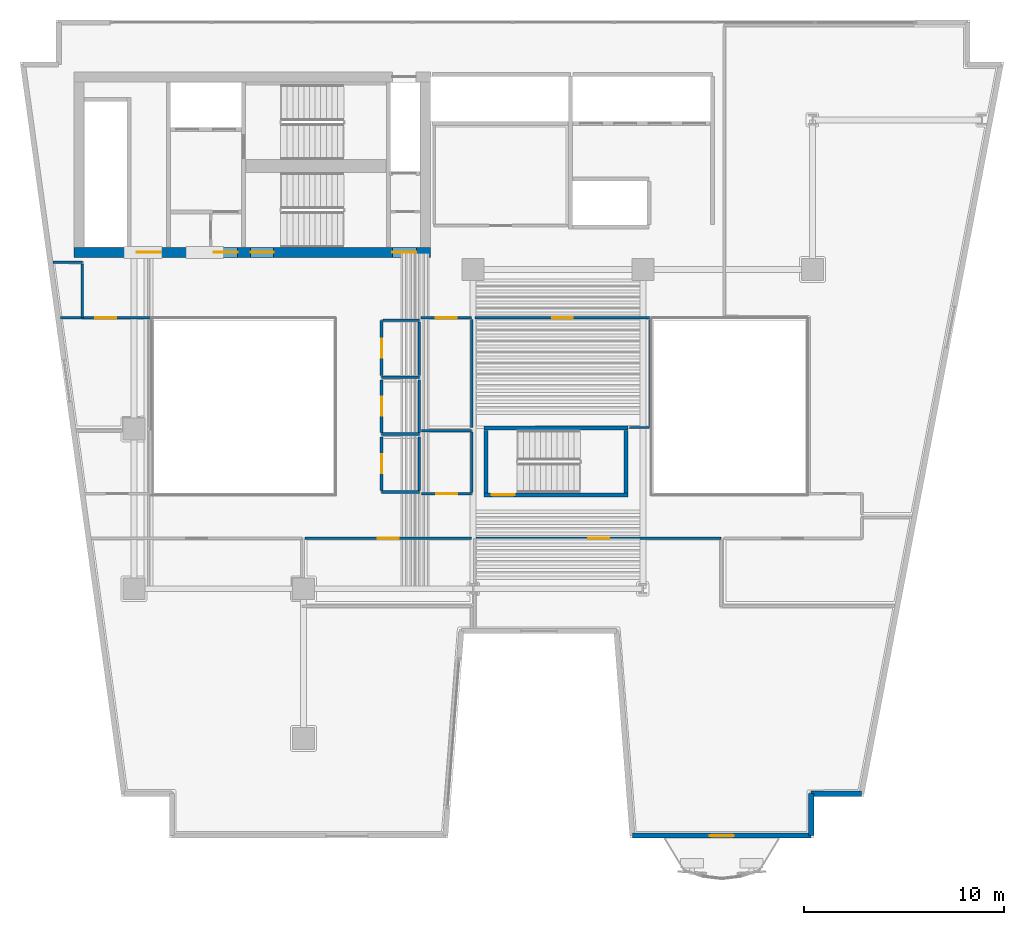
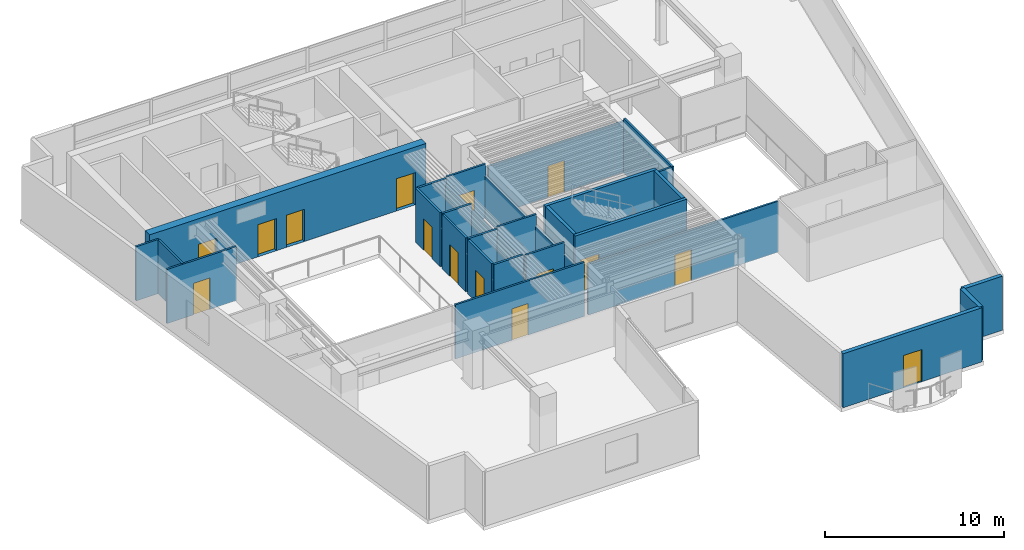
# One storey, part 6 of 12: 31 walls, 15 doors, 15 openings.
"""IFC4 building model written with IfcOpenShell, lengths in metres."""

from ifc_helpers import new_model, si_unit, direction, frame, frame_2d, origin, place, context, subcontext, project, spatial, rectangle, extrude, material, layer, layer_set, type_object, element, fill, save


model = new_model("IFC4")

# Units and contexts
model_context = context("Model", 3, precision=1e-05, world=origin(), true_north=direction((0.0, 1.0)))
body_context = subcontext(model_context, "Body", "Model", "MODEL_VIEW")
ifc_project = project(units=[si_unit("LENGTHUNIT", "METRE"), si_unit("AREAUNIT", "SQUARE_METRE"), si_unit("VOLUMEUNIT", "CUBIC_METRE"), si_unit("PLANEANGLEUNIT", "RADIAN"), si_unit("MASSUNIT", "GRAM", prefix="KILO")], contexts=[model_context])

# Site, building, storey
site_placement = place(None, origin())
site = spatial("IfcSite", under=ifc_project, at=site_placement, CompositionType="ELEMENT")
building_placement = place(site_placement, origin())
building = spatial("IfcBuilding", under=site, at=building_placement, Name="Caeloran Harvest Quay", CompositionType="ELEMENT")
storey_placement = place(building_placement, frame((0.0, 0.0, 111.39990234375)))
storey = spatial("IfcBuildingStorey", under=building, at=storey_placement, Name="L25", CompositionType="ELEMENT", Elevation=111.39990234375)

# Walls
ifc_material_1 = material(Name="Precast concrete C50/60", Category="concrete")
ifc_layer_1 = layer(ifc_material_1, 0.260009765625, Name="Precast concrete C50/60")
ifc_layer_set_1 = layer_set([ifc_layer_1], Name="Precast concrete C50/60")
wall_type_1 = type_object("IfcWallType", Name="ENV-WALL-EW-260", PredefinedType="STANDARD", material=ifc_layer_set_1)
wall_1_placement = place(storey_placement, frame((44.96337890625, 4.72998046875, 0.0), z_axis=(0.0, 0.0, 1.0), x_axis=(-1.0, 0.0, 0.0)))
element("IfcWall", 1, at=wall_1_placement, inside=storey, type_object=wall_type_1, Name="L25 Exterior Precast Concrete Facade Wall 10", PredefinedType="STANDARD", context=body_context, shape_type="SweptSolid", body=[
    extrude(rectangle(XDim=2.5234375, YDim=0.260009765625, at=frame_2d((1.26171875, 0.0))), origin(), (0.0, 0.0, 1.0), 3.690185546875),
])
wall_2_placement = place(storey_placement, frame((42.43994140625, 4.72998046875, 0.0), z_axis=(0.0, 0.0, 1.0), x_axis=(0.0, -1.0, 0.0)))
element("IfcWall", 2, at=wall_2_placement, inside=storey, type_object=wall_type_1, Name="L25 Exterior Precast Concrete Facade Wall 11", PredefinedType="STANDARD", context=body_context, shape_type="SweptSolid", body=[
    extrude(rectangle(XDim=2.10009765625, YDim=0.260009765625, at=frame_2d((1.050048828125, 0.0))), origin(), (0.0, 0.0, 1.0), 3.690185546875),
])

# Wall, opening, door
wall_3_placement = place(storey_placement, frame((42.43994140625, 2.6298828125, 0.0), z_axis=(0.0, 0.0, 1.0), x_axis=(-1.0, 0.0, 0.0)))
wall_3 = element("IfcWall", 3, at=wall_3_placement, inside=storey, type_object=wall_type_1, Name="L25 Exterior Precast Concrete Facade Wall 12", PredefinedType="STANDARD", context=body_context, shape_type="SweptSolid", body=[
    extrude(rectangle(XDim=8.96484375, YDim=0.260009765625, at=frame_2d((4.482421875, 0.0))), origin(), (0.0, 0.0, 1.0), 3.690185546875),
])
opening_1_placement = place(wall_3_placement, frame((3.882080078125, 0.0, 0.0)))
opening_1 = element("IfcOpeningElement", 4, at=opening_1_placement, cuts=wall_3, Name="Opening BD-01", PredefinedType="OPENING", context=body_context, shape_type="SweptSolid", body=[
    extrude(rectangle(XDim=1.199951171875, YDim=2.199951171875, at=frame_2d((0.60009765625, 1.10009765625))), frame((0.0, 0.14013671875, 0.0), z_axis=(0.0, -1.0, 0.0), x_axis=(1.0, 0.0, 0.0)), (0.0, 0.0, 1.0), 0.280029296875),
])
ifc_material_2 = material(Name="Thermally Broken Powder-Coated Aluminium and Safety Glass", Category="aluminium")
door_type_1 = type_object("IfcDoorType", Name="EXTDOOR-BD-01", OperationType="NOTDEFINED", PredefinedType="DOOR", material=ifc_material_2)
door_1_placement = place(opening_1_placement, origin())
door_1 = element("IfcDoor", 5, at=door_1_placement, inside=storey, type_object=door_type_1, Name="L25 Planted Balcony Glazed Access Door", OperationType="SINGLE_SWING_RIGHT", OverallHeight=2.199951171875, OverallWidth=1.199951171875, PredefinedType="DOOR", context=body_context, shape_type="SweptSolid", body=[
    extrude(rectangle(XDim=1.199951171875, YDim=2.199951171875, at=frame_2d((0.60009765625, 1.10009765625))), frame((0.0, 0.02490234375, 0.0), z_axis=(0.0, -1.0, 0.0), x_axis=(1.0, 0.0, 0.0)), (0.0, 0.0, 1.0), 0.050048828125),
])
fill(opening_1, door_1)

ifc_material_3 = material(Name="Twin-Stud Mineral-Wool Acoustic Gypsum Partition", Category="gypsum")
ifc_layer_2 = layer(ifc_material_3, 0.125, Name="Twin-Stud Mineral-Wool Acoustic Gypsum Partition")
ifc_layer_set_2 = layer_set([ifc_layer_2], Name="Twin-Stud Mineral-Wool Acoustic Gypsum Partition")
wall_type_2 = type_object("IfcWallType", Name="INT-WALL-PW-125", PredefinedType="PARTITIONING", material=ifc_layer_set_2)
wall_4_placement = place(storey_placement, frame((25.6474609375, 17.52001953125, 0.0), z_axis=(0.0, 0.0, 1.0), x_axis=(1.0, 0.0, 0.0)))
wall_4 = element("IfcWall", 6, at=wall_4_placement, inside=storey, type_object=wall_type_2, Name="Crop Genomics Wet Laboratory Partition Wall", PredefinedType="PARTITIONING", context=body_context, shape_type="SweptSolid", body=[
    extrude(rectangle(XDim=12.2724609375, YDim=0.125, at=frame_2d((6.13623046875, 0.0))), origin(), (0.0, 0.0, 1.0), 3.47509765625),
])
opening_2_placement = place(wall_4_placement, frame((5.611328125, 0.0, 0.0)))
opening_2 = element("IfcOpeningElement", 7, at=opening_2_placement, cuts=wall_4, Name="Opening ID-03", PredefinedType="OPENING", context=body_context, shape_type="SweptSolid", body=[
    extrude(rectangle(XDim=1.050048828125, YDim=2.14990234375, at=frame_2d((0.52490234375, 1.074951171875))), frame((0.0, 0.072509765625, 0.0), z_axis=(0.0, -1.0, 0.0), x_axis=(1.0, 0.0, 0.0)), (0.0, 0.0, 1.0), 0.14501953125),
])
ifc_material_4 = material(Name="FSC Solid-Core Oak Timber Leaf", Category="wood")
door_type_2 = type_object("IfcDoorType", Name="INTDOOR-ID-03", OperationType="NOTDEFINED", PredefinedType="DOOR", material=ifc_material_4)
door_2_placement = place(opening_2_placement, origin())
door_2 = element("IfcDoor", 8, at=door_2_placement, inside=storey, type_object=door_type_2, Name="Crop Genomics Wet Laboratory Access Door", OperationType="SINGLE_SWING_RIGHT", OverallHeight=2.14990234375, OverallWidth=1.050048828125, PredefinedType="DOOR", context=body_context, shape_type="SweptSolid", body=[
    extrude(rectangle(XDim=1.050048828125, YDim=2.14990234375, at=frame_2d((0.52490234375, 1.074951171875))), frame((0.0, 0.02490234375, 0.0), z_axis=(0.0, -1.0, 0.0), x_axis=(1.0, 0.0, 0.0)), (0.0, 0.0, 1.0), 0.050048828125),
])
fill(opening_2, door_2)

wall_5_placement = place(storey_placement, frame((17.080078125, 17.52001953125, 0.0), z_axis=(0.0, 0.0, 1.0), x_axis=(1.0, 0.0, 0.0)))
wall_5 = element("IfcWall", 9, at=wall_5_placement, inside=storey, type_object=wall_type_2, Name="Phenotyping Sensor Laboratory Partition Wall", PredefinedType="PARTITIONING", context=body_context, shape_type="SweptSolid", body=[
    extrude(rectangle(XDim=8.33984375, YDim=0.125, at=frame_2d((4.169921875, 0.0))), origin(), (0.0, 0.0, 1.0), 3.690185546875),
])
opening_3_placement = place(wall_5_placement, frame((3.64501953125, 0.0, 0.0)))
opening_3 = element("IfcOpeningElement", 10, at=opening_3_placement, cuts=wall_5, Name="Opening ID-03", PredefinedType="OPENING", context=body_context, shape_type="SweptSolid", body=[
    extrude(rectangle(XDim=1.050048828125, YDim=2.14990234375, at=frame_2d((0.52490234375, 1.074951171875))), frame((0.0, 0.072509765625, 0.0), z_axis=(0.0, -1.0, 0.0), x_axis=(1.0, 0.0, 0.0)), (0.0, 0.0, 1.0), 0.14501953125),
])
door_3_placement = place(opening_3_placement, origin())
door_3 = element("IfcDoor", 11, at=door_3_placement, inside=storey, type_object=door_type_2, Name="Phenotyping Sensor Laboratory Access Door", OperationType="SINGLE_SWING_LEFT", OverallHeight=2.14990234375, OverallWidth=1.050048828125, PredefinedType="DOOR", context=body_context, shape_type="SweptSolid", body=[
    extrude(rectangle(XDim=1.050048828125, YDim=2.14990234375, at=frame_2d((0.52490234375, 1.074951171875))), frame((0.0, 0.02490234375, 0.0), z_axis=(0.0, -1.0, 0.0), x_axis=(1.0, 0.0, 0.0)), (0.0, 0.0, 1.0), 0.050048828125),
])
fill(opening_3, door_3)

wall_6_placement = place(storey_placement, frame((25.419921875, 19.75, 0.0), z_axis=(0.0, 0.0, 1.0), x_axis=(-1.0, 0.0, 0.0)))
wall_6 = element("IfcWall", 12, at=wall_6_placement, inside=storey, type_object=wall_type_2, Name="R&D Project Conference Room Partition Wall", PredefinedType="PARTITIONING", context=body_context, shape_type="SweptSolid", body=[
    extrude(rectangle(XDim=2.510009765625, YDim=0.125, at=frame_2d((1.2548828125, 0.0))), origin(), (0.0, 0.0, 1.0), 3.690185546875),
])
opening_4_placement = place(wall_6_placement, frame((0.72998046875, 0.0, 0.0)))
opening_4 = element("IfcOpeningElement", 13, at=opening_4_placement, cuts=wall_6, Name="Opening ID-03", PredefinedType="OPENING", context=body_context, shape_type="SweptSolid", body=[
    extrude(rectangle(XDim=1.050048828125, YDim=2.14990234375, at=frame_2d((0.52490234375, 1.074951171875))), frame((0.0, 0.072509765625, 0.0), z_axis=(0.0, -1.0, 0.0), x_axis=(1.0, 0.0, 0.0)), (0.0, 0.0, 1.0), 0.14501953125),
])
door_4_placement = place(opening_4_placement, origin())
door_4 = element("IfcDoor", 14, at=door_4_placement, inside=storey, type_object=door_type_2, Name="R&D Project Conference Room Access Door", OperationType="SINGLE_SWING_LEFT", OverallHeight=2.14990234375, OverallWidth=1.050048828125, PredefinedType="DOOR", context=body_context, shape_type="SweptSolid", body=[
    extrude(rectangle(XDim=1.050048828125, YDim=2.14990234375, at=frame_2d((0.52490234375, 1.074951171875))), frame((0.0, 0.02490234375, 0.0), z_axis=(0.0, -1.0, 0.0), x_axis=(1.0, 0.0, 0.0)), (0.0, 0.0, 1.0), 0.050048828125),
])
fill(opening_4, door_4)

# Walls
wall_7_placement = place(storey_placement, frame((22.909912109375, 22.919921875, 0.0), z_axis=(0.0, 0.0, 1.0), x_axis=(1.0, 0.0, 0.0)))
element("IfcWall", 15, at=wall_7_placement, inside=storey, type_object=wall_type_2, Name="R&D Project Conference Room Partition Wall", PredefinedType="PARTITIONING", context=body_context, shape_type="SweptSolid", body=[
    extrude(rectangle(XDim=2.510009765625, YDim=0.125, at=frame_2d((1.2548828125, 0.0))), origin(), (0.0, 0.0, 1.0), 3.690185546875),
])
wall_8_placement = place(storey_placement, frame((25.419921875, 22.8525390625, 0.0), z_axis=(0.0, 0.0, 1.0), x_axis=(0.0, -1.0, 0.0)))
element("IfcWall", 16, at=wall_8_placement, inside=storey, type_object=wall_type_2, Name="R&D Project Conference Room Partition Wall", PredefinedType="PARTITIONING", context=body_context, shape_type="SweptSolid", body=[
    extrude(rectangle(XDim=3.03515625, YDim=0.125, at=frame_2d((1.517578125, 0.0))), origin(), (0.0, 0.0, 1.0), 2.875),
])

# Wall, opening, door
wall_9_placement = place(storey_placement, frame((22.889892578125, 28.570068359375, 0.0), z_axis=(0.0, 0.0, 1.0), x_axis=(1.0, 0.0, 0.0)))
wall_9 = element("IfcWall", 17, at=wall_9_placement, inside=storey, type_object=wall_type_2, Name="Instrument Calibration Laboratory Partition Wall", PredefinedType="PARTITIONING", context=body_context, shape_type="SweptSolid", body=[
    extrude(rectangle(XDim=2.530029296875, YDim=0.125, at=frame_2d((1.26513671875, 0.0))), origin(), (0.0, 0.0, 1.0), 3.690185546875),
])
opening_5_placement = place(wall_9_placement, frame((0.739990234375, 0.0, 0.0)))
opening_5 = element("IfcOpeningElement", 18, at=opening_5_placement, cuts=wall_9, Name="Opening ID-03", PredefinedType="OPENING", context=body_context, shape_type="SweptSolid", body=[
    extrude(rectangle(XDim=1.050048828125, YDim=2.14990234375, at=frame_2d((0.52490234375, 1.074951171875))), frame((0.0, 0.072509765625, 0.0), z_axis=(0.0, -1.0, 0.0), x_axis=(1.0, 0.0, 0.0)), (0.0, 0.0, 1.0), 0.14501953125),
])
door_5_placement = place(opening_5_placement, origin())
door_5 = element("IfcDoor", 19, at=door_5_placement, inside=storey, type_object=door_type_2, Name="Instrument Calibration Laboratory Access Door", OperationType="SINGLE_SWING_LEFT", OverallHeight=2.14990234375, OverallWidth=1.050048828125, PredefinedType="DOOR", context=body_context, shape_type="SweptSolid", body=[
    extrude(rectangle(XDim=1.050048828125, YDim=2.14990234375, at=frame_2d((0.52490234375, 1.074951171875))), frame((0.0, 0.02490234375, 0.0), z_axis=(0.0, -1.0, 0.0), x_axis=(1.0, 0.0, 0.0)), (0.0, 0.0, 1.0), 0.050048828125),
])
fill(opening_5, door_5)

# Wall
wall_10_placement = place(storey_placement, frame((25.419921875, 28.50244140625, 0.0), z_axis=(0.0, 0.0, 1.0), x_axis=(0.0, -1.0, 0.0)))
element("IfcWall", 20, at=wall_10_placement, inside=storey, type_object=wall_type_2, Name="Instrument Calibration Laboratory Partition Wall", PredefinedType="PARTITIONING", context=body_context, shape_type="SweptSolid", body=[
    extrude(rectangle(XDim=5.42236328125, YDim=0.125, at=frame_2d((2.711181640625, 0.0))), origin(), (0.0, 0.0, 1.0), 2.875),
])

# Wall, opening, door
wall_11_placement = place(storey_placement, frame((25.580078125, 28.570068359375, 0.0), z_axis=(0.0, 0.0, 1.0), x_axis=(1.0, 0.0, 0.0)))
wall_11 = element("IfcWall", 21, at=wall_11_placement, inside=storey, type_object=wall_type_2, Name="Agri-Robotics Open Research Workspace 8 Partition Wall", PredefinedType="PARTITIONING", context=body_context, shape_type="SweptSolid", body=[
    extrude(rectangle(XDim=8.7900390625, YDim=0.125, at=frame_2d((4.39501953125, 0.0))), origin(), (0.0, 0.0, 1.0), 3.47509765625),
])
opening_6_placement = place(wall_11_placement, frame((3.8701171875, 0.0, 0.0)))
opening_6 = element("IfcOpeningElement", 22, at=opening_6_placement, cuts=wall_11, Name="Opening ID-03", PredefinedType="OPENING", context=body_context, shape_type="SweptSolid", body=[
    extrude(rectangle(XDim=1.050048828125, YDim=2.14990234375, at=frame_2d((0.52490234375, 1.074951171875))), frame((0.0, 0.072509765625, 0.0), z_axis=(0.0, -1.0, 0.0), x_axis=(1.0, 0.0, 0.0)), (0.0, 0.0, 1.0), 0.14501953125),
])
door_6_placement = place(opening_6_placement, origin())
door_6 = element("IfcDoor", 23, at=door_6_placement, inside=storey, type_object=door_type_2, Name="Agri-Robotics Open Research Workspace 8 Access Door", OperationType="SINGLE_SWING_RIGHT", OverallHeight=2.14990234375, OverallWidth=1.050048828125, PredefinedType="DOOR", context=body_context, shape_type="SweptSolid", body=[
    extrude(rectangle(XDim=1.050048828125, YDim=2.14990234375, at=frame_2d((0.52490234375, 1.074951171875))), frame((0.0, 0.02490234375, 0.0), z_axis=(0.0, -1.0, 0.0), x_axis=(1.0, 0.0, 0.0)), (0.0, 0.0, 1.0), 0.050048828125),
])
fill(opening_6, door_6)

# Walls
wall_12_placement = place(storey_placement, frame((34.3701171875, 28.50244140625, 0.0), z_axis=(0.0, 0.0, 1.0), x_axis=(0.0, -1.0, 0.0)))
element("IfcWall", 24, at=wall_12_placement, inside=storey, type_object=wall_type_2, Name="Agri-Robotics Open Research Workspace 8 Partition Wall", PredefinedType="PARTITIONING", context=body_context, shape_type="SweptSolid", body=[
    extrude(rectangle(XDim=5.42236328125, YDim=0.125, at=frame_2d((2.711181640625, 0.0))), origin(), (0.0, 0.0, 1.0), 3.690185546875),
])
wall_13_placement = place(storey_placement, frame((34.302490234375, 23.080078125, 0.0), z_axis=(0.0, 0.0, 1.0), x_axis=(-1.0, 0.0, 0.0)))
element("IfcWall", 25, at=wall_13_placement, inside=storey, type_object=wall_type_2, Name="Agri-Robotics Open Research Workspace 8 Partition Wall", PredefinedType="PARTITIONING", context=body_context, shape_type="SweptSolid", body=[
    extrude(rectangle(XDim=0.97802734375, YDim=0.125, at=frame_2d((0.489013671875, 0.0))), origin(), (0.0, 0.0, 1.0), 3.690185546875),
])
wall_14_placement = place(storey_placement, frame((4.44775390625, 31.35009765625, 0.0), z_axis=(0.0, 0.0, 1.0), x_axis=(1.0, 0.0, 0.0)))
element("IfcWall", 26, at=wall_14_placement, inside=storey, type_object=wall_type_2, Name="Crop Genomics Wet Laboratory 9 Partition Wall", PredefinedType="PARTITIONING", context=body_context, shape_type="SweptSolid", body=[
    extrude(rectangle(XDim=1.47216796875, YDim=0.125, at=frame_2d((0.736083984375, 0.0))), origin(), (0.0, 0.0, 1.0), 3.690185546875),
])
wall_15_placement = place(storey_placement, frame((5.919921875, 31.282470703125, 0.0), z_axis=(0.0, 0.0, 1.0), x_axis=(0.0, -1.0, 0.0)))
element("IfcWall", 27, at=wall_15_placement, inside=storey, type_object=wall_type_2, Name="Crop Genomics Wet Laboratory 9 Partition Wall", PredefinedType="PARTITIONING", context=body_context, shape_type="SweptSolid", body=[
    extrude(rectangle(XDim=2.682373046875, YDim=0.125, at=frame_2d((1.34130859375, 0.0))), origin(), (0.0, 0.0, 1.0), 3.690185546875),
])

# Wall, opening, door
wall_16_placement = place(storey_placement, frame((4.832275390625, 28.570068359375, 0.0), z_axis=(0.0, 0.0, 1.0), x_axis=(1.0, 0.0, 0.0)))
wall_16 = element("IfcWall", 28, at=wall_16_placement, inside=storey, type_object=wall_type_2, Name="Crop Genomics Wet Laboratory 9 Partition Wall", PredefinedType="PARTITIONING", context=body_context, shape_type="SweptSolid", body=[
    extrude(rectangle(XDim=4.48779296875, YDim=0.125, at=frame_2d((2.243896484375, 0.0))), origin(), (0.0, 0.0, 1.0), 3.690185546875),
])
opening_7_placement = place(wall_16_placement, frame((1.718994140625, 0.0, 0.0)))
opening_7 = element("IfcOpeningElement", 29, at=opening_7_placement, cuts=wall_16, Name="Opening ID-03", PredefinedType="OPENING", context=body_context, shape_type="SweptSolid", body=[
    extrude(rectangle(XDim=1.050048828125, YDim=2.14990234375, at=frame_2d((0.52490234375, 1.074951171875))), frame((0.0, 0.072509765625, 0.0), z_axis=(0.0, -1.0, 0.0), x_axis=(1.0, 0.0, 0.0)), (0.0, 0.0, 1.0), 0.14501953125),
])
door_7_placement = place(opening_7_placement, origin())
door_7 = element("IfcDoor", 30, at=door_7_placement, inside=storey, type_object=door_type_2, Name="Crop Genomics Wet Laboratory 9 Access Door", OperationType="SINGLE_SWING_LEFT", OverallHeight=2.14990234375, OverallWidth=1.050048828125, PredefinedType="DOOR", context=body_context, shape_type="SweptSolid", body=[
    extrude(rectangle(XDim=1.050048828125, YDim=2.14990234375, at=frame_2d((0.52490234375, 1.074951171875))), frame((0.0, 0.02490234375, 0.0), z_axis=(0.0, -1.0, 0.0), x_axis=(1.0, 0.0, 0.0)), (0.0, 0.0, 1.0), 0.050048828125),
])
fill(opening_7, door_7)

# Wall
ifc_material_5 = material(Name="Moisture-Resistant Cement-Board Sanitary Partition", Category="gypsum")
ifc_layer_3 = layer(ifc_material_5, 0.139892578125, Name="Moisture-Resistant Cement-Board Sanitary Partition")
ifc_layer_set_3 = layer_set([ifc_layer_3], Name="Moisture-Resistant Cement-Board Sanitary Partition")
wall_type_3 = type_object("IfcWallType", Name="INT-WALL-PW-140", PredefinedType="PARTITIONING", material=ifc_layer_set_3)
wall_17_placement = place(storey_placement, frame((22.800048828125, 25.60009765625, 0.0), z_axis=(0.0, 0.0, 1.0), x_axis=(-1.0, 0.0, 0.0)))
element("IfcWall", 31, at=wall_17_placement, inside=storey, type_object=wall_type_3, Name="L25 Male Washroom WC Partition Wall", PredefinedType="PARTITIONING", context=body_context, shape_type="SweptSolid", body=[
    extrude(rectangle(XDim=1.89013671875, YDim=0.139892578125, at=frame_2d((0.945068359375, 0.0))), origin(), (0.0, 0.0, 1.0), 3.690185546875),
])

# Wall, opening, door
wall_18_placement = place(storey_placement, frame((20.909912109375, 25.675048828125, 0.0), z_axis=(0.0, 0.0, 1.0), x_axis=(0.0, 1.0, 0.0)))
wall_18 = element("IfcWall", 32, at=wall_18_placement, inside=storey, type_object=wall_type_3, Name="L25 Male Washroom WC Partition Wall", PredefinedType="PARTITIONING", context=body_context, shape_type="SweptSolid", body=[
    extrude(rectangle(XDim=2.77490234375, YDim=0.139892578125, at=frame_2d((1.387451171875, 0.0))), origin(), (0.0, 0.0, 1.0), 3.690185546875),
])
opening_8_placement = place(wall_18_placement, frame((0.91259765625, 0.0, 0.0)))
opening_8 = element("IfcOpeningElement", 33, at=opening_8_placement, cuts=wall_18, Name="Opening WC-01", PredefinedType="OPENING", context=body_context, shape_type="SweptSolid", body=[
    extrude(rectangle(XDim=0.949951171875, YDim=2.14990234375, at=frame_2d((0.47509765625, 1.074951171875))), frame((0.0, 0.080078125, 0.0), z_axis=(0.0, -1.0, 0.0), x_axis=(1.0, 0.0, 0.0)), (0.0, 0.0, 1.0), 0.159912109375),
])
ifc_material_6 = material(Name="High-Pressure Laminate Moisture-Resistant Timber", Category="wood")
door_type_3 = type_object("IfcDoorType", Name="INTDOOR-WC-01", OperationType="NOTDEFINED", PredefinedType="DOOR", material=ifc_material_6)
door_8_placement = place(opening_8_placement, origin())
door_8 = element("IfcDoor", 34, at=door_8_placement, inside=storey, type_object=door_type_3, Name="L25 Male Washroom WC Access Door", OperationType="SINGLE_SWING_RIGHT", OverallHeight=2.14990234375, OverallWidth=0.949951171875, PredefinedType="DOOR", context=body_context, shape_type="SweptSolid", body=[
    extrude(rectangle(XDim=0.949951171875, YDim=2.14990234375, at=frame_2d((0.47509765625, 1.074951171875))), frame((0.0, 0.02490234375, 0.0), z_axis=(0.0, -1.0, 0.0), x_axis=(1.0, 0.0, 0.0)), (0.0, 0.0, 1.0), 0.050048828125),
])
fill(opening_8, door_8)

# Walls
wall_19_placement = place(storey_placement, frame((20.985107421875, 28.449951171875, 0.0), z_axis=(0.0, 0.0, 1.0), x_axis=(1.0, 0.0, 0.0)))
element("IfcWall", 35, at=wall_19_placement, inside=storey, type_object=wall_type_3, Name="L25 Male Washroom WC Partition Wall", PredefinedType="PARTITIONING", context=body_context, shape_type="SweptSolid", body=[
    extrude(rectangle(XDim=1.81494140625, YDim=0.139892578125, at=frame_2d((0.907470703125, 0.0))), origin(), (0.0, 0.0, 1.0), 3.690185546875),
])
wall_20_placement = place(storey_placement, frame((22.800048828125, 28.375, 0.0), z_axis=(0.0, 0.0, 1.0), x_axis=(0.0, -1.0, 0.0)))
element("IfcWall", 36, at=wall_20_placement, inside=storey, type_object=wall_type_3, Name="L25 Male Washroom WC Partition Wall", PredefinedType="PARTITIONING", context=body_context, shape_type="SweptSolid", body=[
    extrude(rectangle(XDim=2.699951171875, YDim=0.139892578125, at=frame_2d((1.35009765625, 0.0))), origin(), (0.0, 0.0, 1.0), 3.315185546875),
])
wall_21_placement = place(storey_placement, frame((22.800048828125, 22.75, 0.0), z_axis=(0.0, 0.0, 1.0), x_axis=(-1.0, 0.0, 0.0)))
element("IfcWall", 37, at=wall_21_placement, inside=storey, type_object=wall_type_3, Name="L25 Female Washroom WC Partition Wall", PredefinedType="PARTITIONING", context=body_context, shape_type="SweptSolid", body=[
    extrude(rectangle(XDim=1.89013671875, YDim=0.139892578125, at=frame_2d((0.945068359375, 0.0))), origin(), (0.0, 0.0, 1.0), 3.690185546875),
])

# Wall, opening, door
wall_22_placement = place(storey_placement, frame((20.909912109375, 22.824951171875, 0.0), z_axis=(0.0, 0.0, 1.0), x_axis=(0.0, 1.0, 0.0)))
wall_22 = element("IfcWall", 38, at=wall_22_placement, inside=storey, type_object=wall_type_3, Name="L25 Female Washroom WC Partition Wall", PredefinedType="PARTITIONING", context=body_context, shape_type="SweptSolid", body=[
    extrude(rectangle(XDim=2.625, YDim=0.139892578125, at=frame_2d((1.3125, 0.0))), origin(), (0.0, 0.0, 1.0), 3.690185546875),
])
opening_9_placement = place(wall_22_placement, frame((0.83740234375, 0.0, 0.0)))
opening_9 = element("IfcOpeningElement", 39, at=opening_9_placement, cuts=wall_22, Name="Opening WC-01", PredefinedType="OPENING", context=body_context, shape_type="SweptSolid", body=[
    extrude(rectangle(XDim=0.949951171875, YDim=2.14990234375, at=frame_2d((0.47509765625, 1.074951171875))), frame((0.0, 0.080078125, 0.0), z_axis=(0.0, -1.0, 0.0), x_axis=(1.0, 0.0, 0.0)), (0.0, 0.0, 1.0), 0.159912109375),
])
door_9_placement = place(opening_9_placement, origin())
door_9 = element("IfcDoor", 40, at=door_9_placement, inside=storey, type_object=door_type_3, Name="L25 Female Washroom WC Access Door", OperationType="SINGLE_SWING_LEFT", OverallHeight=2.14990234375, OverallWidth=0.949951171875, PredefinedType="DOOR", context=body_context, shape_type="SweptSolid", body=[
    extrude(rectangle(XDim=0.949951171875, YDim=2.14990234375, at=frame_2d((0.47509765625, 1.074951171875))), frame((0.0, 0.02490234375, 0.0), z_axis=(0.0, -1.0, 0.0), x_axis=(1.0, 0.0, 0.0)), (0.0, 0.0, 1.0), 0.050048828125),
])
fill(opening_9, door_9)

# Walls
wall_23_placement = place(storey_placement, frame((22.800048828125, 25.449951171875, 0.0), z_axis=(0.0, 0.0, 1.0), x_axis=(0.0, -1.0, 0.0)))
element("IfcWall", 41, at=wall_23_placement, inside=storey, type_object=wall_type_3, Name="L25 Female Washroom WC Partition Wall", PredefinedType="PARTITIONING", context=body_context, shape_type="SweptSolid", body=[
    extrude(rectangle(XDim=2.625, YDim=0.139892578125, at=frame_2d((1.3125, 0.0))), origin(), (0.0, 0.0, 1.0), 3.315185546875),
])
wall_24_placement = place(storey_placement, frame((22.800048828125, 19.85009765625, 0.0), z_axis=(0.0, 0.0, 1.0), x_axis=(-1.0, 0.0, 0.0)))
element("IfcWall", 42, at=wall_24_placement, inside=storey, type_object=wall_type_3, Name="L25 Accessible Unisex Washroom WC Partition Wall", PredefinedType="PARTITIONING", context=body_context, shape_type="SweptSolid", body=[
    extrude(rectangle(XDim=1.89013671875, YDim=0.139892578125, at=frame_2d((0.945068359375, 0.0))), origin(), (0.0, 0.0, 1.0), 3.690185546875),
])

# Wall, opening, door
wall_25_placement = place(storey_placement, frame((20.909912109375, 19.925048828125, 0.0), z_axis=(0.0, 0.0, 1.0), x_axis=(0.0, 1.0, 0.0)))
wall_25 = element("IfcWall", 43, at=wall_25_placement, inside=storey, type_object=wall_type_3, Name="L25 Accessible Unisex Washroom WC Partition Wall", PredefinedType="PARTITIONING", context=body_context, shape_type="SweptSolid", body=[
    extrude(rectangle(XDim=2.675048828125, YDim=0.139892578125, at=frame_2d((1.33740234375, 0.0))), origin(), (0.0, 0.0, 1.0), 3.690185546875),
])
opening_10_placement = place(wall_25_placement, frame((0.862548828125, 0.0, 0.0)))
opening_10 = element("IfcOpeningElement", 44, at=opening_10_placement, cuts=wall_25, Name="Opening WC-01", PredefinedType="OPENING", context=body_context, shape_type="SweptSolid", body=[
    extrude(rectangle(XDim=0.949951171875, YDim=2.14990234375, at=frame_2d((0.47509765625, 1.074951171875))), frame((0.0, 0.080078125, 0.0), z_axis=(0.0, -1.0, 0.0), x_axis=(1.0, 0.0, 0.0)), (0.0, 0.0, 1.0), 0.159912109375),
])
door_10_placement = place(opening_10_placement, origin())
door_10 = element("IfcDoor", 45, at=door_10_placement, inside=storey, type_object=door_type_3, Name="L25 Accessible Unisex Washroom WC Access Door", OperationType="SINGLE_SWING_RIGHT", OverallHeight=2.14990234375, OverallWidth=0.949951171875, PredefinedType="DOOR", context=body_context, shape_type="SweptSolid", body=[
    extrude(rectangle(XDim=0.949951171875, YDim=2.14990234375, at=frame_2d((0.47509765625, 1.074951171875))), frame((0.0, 0.02490234375, 0.0), z_axis=(0.0, -1.0, 0.0), x_axis=(1.0, 0.0, 0.0)), (0.0, 0.0, 1.0), 0.050048828125),
])
fill(opening_10, door_10)

# Wall
wall_26_placement = place(storey_placement, frame((22.800048828125, 22.60009765625, 0.0), z_axis=(0.0, 0.0, 1.0), x_axis=(0.0, -1.0, 0.0)))
element("IfcWall", 46, at=wall_26_placement, inside=storey, type_object=wall_type_3, Name="L25 Accessible Unisex Washroom WC Partition Wall", PredefinedType="PARTITIONING", context=body_context, shape_type="SweptSolid", body=[
    extrude(rectangle(XDim=2.675048828125, YDim=0.139892578125, at=frame_2d((1.33740234375, 0.0))), origin(), (0.0, 0.0, 1.0), 3.315185546875),
])

# Wall, openings, doors
ifc_material_7 = material(Name="Concrete C70/85", Category="concrete")
ifc_layer_4 = layer(ifc_material_7, 0.5, Name="Concrete C70/85")
ifc_layer_set_4 = layer_set([ifc_layer_4], Name="Concrete C70/85")
wall_type_4 = type_object("IfcWallType", Name="STR-WALL-CW-500", PredefinedType="SHEAR", material=ifc_layer_set_4)
wall_27_placement = place(storey_placement, frame((5.5, 31.85009765625, 0.0), z_axis=(0.0, 0.0, 1.0), x_axis=(1.0, 0.0, 0.0)))
wall_27 = element("IfcWall", 47, at=wall_27_placement, inside=storey, type_object=wall_type_4, Name="L25 Rear Core Shear Wall S", PredefinedType="SHEAR", context=body_context, shape_type="SweptSolid", body=[
    extrude(rectangle(XDim=17.85009765625, YDim=0.5, at=frame_2d((8.925048828125, 0.0))), origin(), (0.0, 0.0, 1.0), 3.9501953125),
])
opening_11_placement = place(wall_27_placement, frame((3.14990234375, 0.0, 0.0)))
opening_11 = element("IfcOpeningElement", 48, at=opening_11_placement, cuts=wall_27, Name="Opening FD-01", PredefinedType="OPENING", context=body_context, shape_type="SweptSolid", body=[
    extrude(rectangle(XDim=1.199951171875, YDim=2.199951171875, at=frame_2d((0.60009765625, 1.10009765625))), frame((0.0, 0.260009765625, 0.0), z_axis=(0.0, -1.0, 0.0), x_axis=(1.0, 0.0, 0.0)), (0.0, 0.0, 1.0), 0.52001953125),
])
opening_12_placement = place(wall_27_placement, frame((7.0, 0.0, 0.0)))
opening_12 = element("IfcOpeningElement", 49, at=opening_12_placement, cuts=wall_27, Name="Opening FD-01", PredefinedType="OPENING", context=body_context, shape_type="SweptSolid", body=[
    extrude(rectangle(XDim=1.199951171875, YDim=2.199951171875, at=frame_2d((0.60009765625, 1.10009765625))), frame((0.0, 0.260009765625, 0.0), z_axis=(0.0, -1.0, 0.0), x_axis=(1.0, 0.0, 0.0)), (0.0, 0.0, 1.0), 0.52001953125),
])
opening_13_placement = place(wall_27_placement, frame((8.85009765625, 0.0, 0.0)))
opening_13 = element("IfcOpeningElement", 50, at=opening_13_placement, cuts=wall_27, Name="Opening SD-01", PredefinedType="OPENING", context=body_context, shape_type="SweptSolid", body=[
    extrude(rectangle(XDim=1.14990234375, YDim=2.199951171875, at=frame_2d((0.574951171875, 1.10009765625))), frame((0.0, 0.260009765625, 0.0), z_axis=(0.0, -1.0, 0.0), x_axis=(1.0, 0.0, 0.0)), (0.0, 0.0, 1.0), 0.52001953125),
])
opening_14_placement = place(wall_27_placement, frame((15.949951171875, 0.0, 0.0)))
opening_14 = element("IfcOpeningElement", 51, at=opening_14_placement, cuts=wall_27, Name="Opening FD-01", PredefinedType="OPENING", context=body_context, shape_type="SweptSolid", body=[
    extrude(rectangle(XDim=1.199951171875, YDim=2.199951171875, at=frame_2d((0.60009765625, 1.10009765625))), frame((0.0, 0.260009765625, 0.0), z_axis=(0.0, -1.0, 0.0), x_axis=(1.0, 0.0, 0.0)), (0.0, 0.0, 1.0), 0.52001953125),
])
ifc_material_8 = material(Name="Steel", Category="steel")
door_type_4 = type_object("IfcDoorType", Name="INTDOOR-FD-01", OperationType="NOTDEFINED", PredefinedType="DOOR", material=ifc_material_8)
door_11_placement = place(opening_11_placement, origin())
door_11 = element("IfcDoor", 52, at=door_11_placement, inside=storey, type_object=door_type_4, Name="L25 High-Rise Lift Lobby Fire Door", OperationType="SINGLE_SWING_LEFT", OverallHeight=2.199951171875, OverallWidth=1.199951171875, PredefinedType="DOOR", context=body_context, shape_type="SweptSolid", body=[
    extrude(rectangle(XDim=1.199951171875, YDim=2.199951171875, at=frame_2d((0.60009765625, 1.10009765625))), frame((0.0, 0.02490234375, 0.0), z_axis=(0.0, -1.0, 0.0), x_axis=(1.0, 0.0, 0.0)), (0.0, 0.0, 1.0), 0.050048828125),
])
fill(opening_11, door_11)
door_12_placement = place(opening_12_placement, origin())
door_12 = element("IfcDoor", 53, at=door_12_placement, inside=storey, type_object=door_type_4, Name="L25 Firefighting Lobby Vestibule Fire Door", OperationType="SINGLE_SWING_RIGHT", OverallHeight=2.199951171875, OverallWidth=1.199951171875, PredefinedType="DOOR", context=body_context, shape_type="SweptSolid", body=[
    extrude(rectangle(XDim=1.199951171875, YDim=2.199951171875, at=frame_2d((0.60009765625, 1.10009765625))), frame((0.0, 0.02490234375, 0.0), z_axis=(0.0, -1.0, 0.0), x_axis=(1.0, 0.0, 0.0)), (0.0, 0.0, 1.0), 0.050048828125),
])
fill(opening_12, door_12)
door_13_placement = place(opening_14_placement, origin())
door_13 = element("IfcDoor", 54, at=door_13_placement, inside=storey, type_object=door_type_4, Name="L25 Service Lift Lobby Fire Door", OperationType="SINGLE_SWING_RIGHT", OverallHeight=2.199951171875, OverallWidth=1.199951171875, PredefinedType="DOOR", context=body_context, shape_type="SweptSolid", body=[
    extrude(rectangle(XDim=1.199951171875, YDim=2.199951171875, at=frame_2d((0.60009765625, 1.10009765625))), frame((0.0, 0.02490234375, 0.0), z_axis=(0.0, -1.0, 0.0), x_axis=(1.0, 0.0, 0.0)), (0.0, 0.0, 1.0), 0.050048828125),
])
fill(opening_14, door_13)
door_type_5 = type_object("IfcDoorType", Name="INTDOOR-SD-01", OperationType="NOTDEFINED", PredefinedType="DOOR", material=ifc_material_8)
door_14_placement = place(opening_13_placement, origin())
door_14 = element("IfcDoor", 55, at=door_14_placement, inside=storey, type_object=door_type_5, Name="L25 Protected Stair ST-C2 Exit Door", OperationType="SINGLE_SWING_LEFT", OverallHeight=2.199951171875, OverallWidth=1.14990234375, PredefinedType="DOOR", context=body_context, shape_type="SweptSolid", body=[
    extrude(rectangle(XDim=1.14990234375, YDim=2.199951171875, at=frame_2d((0.574951171875, 1.10009765625))), frame((0.0, 0.02490234375, 0.0), z_axis=(0.0, -1.0, 0.0), x_axis=(1.0, 0.0, 0.0)), (0.0, 0.0, 1.0), 0.050048828125),
])
fill(opening_13, door_14)

# Wall, opening, door
ifc_material_9 = material(Name="Concrete C60/75", Category="concrete")
ifc_layer_5 = layer(ifc_material_9, 0.199951171875, Name="Concrete C60/75")
ifc_layer_set_5 = layer_set([ifc_layer_5], Name="Concrete C60/75")
wall_type_5 = type_object("IfcWallType", Name="STR-WALL-SW-200", PredefinedType="SHEAR", material=ifc_layer_set_5)
wall_28_placement = place(storey_placement, frame((26.050048828125, 19.699951171875, 0.0), z_axis=(0.0, 0.0, 1.0), x_axis=(1.0, 0.0, 0.0)))
wall_28 = element("IfcWall", 56, at=wall_28_placement, inside=storey, type_object=wall_type_5, Name="L25 Stair ST-W1 S RC Shaft Shear Wall", PredefinedType="SHEAR", context=body_context, shape_type="SweptSolid", body=[
    extrude(rectangle(XDim=7.199951171875, YDim=0.199951171875, at=frame_2d((3.60009765625, 0.0))), origin(), (0.0, 0.0, 1.0), 3.9501953125),
])
opening_15_placement = place(wall_28_placement, frame((0.3798828125, 0.0, 0.0)))
opening_15 = element("IfcOpeningElement", 57, at=opening_15_placement, cuts=wall_28, Name="Opening SD-01", PredefinedType="OPENING", context=body_context, shape_type="SweptSolid", body=[
    extrude(rectangle(XDim=1.14990234375, YDim=2.199951171875, at=frame_2d((0.574951171875, 1.10009765625))), frame((0.0, 0.10986328125, 0.0), z_axis=(0.0, -1.0, 0.0), x_axis=(1.0, 0.0, 0.0)), (0.0, 0.0, 1.0), 0.219970703125),
])
door_15_placement = place(opening_15_placement, origin())
door_15 = element("IfcDoor", 58, at=door_15_placement, inside=storey, type_object=door_type_5, Name="L25 Protected Exit Stair ST-W1 Fire Door", OperationType="SINGLE_SWING_RIGHT", OverallHeight=2.199951171875, OverallWidth=1.14990234375, PredefinedType="DOOR", context=body_context, shape_type="SweptSolid", body=[
    extrude(rectangle(XDim=1.14990234375, YDim=2.199951171875, at=frame_2d((0.574951171875, 1.10009765625))), frame((0.0, 0.02490234375, 0.0), z_axis=(0.0, -1.0, 0.0), x_axis=(1.0, 0.0, 0.0)), (0.0, 0.0, 1.0), 0.050048828125),
])
fill(opening_15, door_15)

# Walls
wall_29_placement = place(storey_placement, frame((26.050048828125, 23.050048828125, 0.0), z_axis=(0.0, 0.0, 1.0), x_axis=(1.0, 0.0, 0.0)))
element("IfcWall", 59, at=wall_29_placement, inside=storey, type_object=wall_type_5, Name="L25 Stair ST-W1 N RC Shaft Shear Wall", PredefinedType="SHEAR", context=body_context, shape_type="SweptSolid", body=[
    extrude(rectangle(XDim=7.199951171875, YDim=0.199951171875, at=frame_2d((3.60009765625, 0.0))), origin(), (0.0, 0.0, 1.0), 3.9501953125),
])
for number, where, z_axis, x_axis, name in (
    (60, (26.14990234375, 19.81005859375, 0.0), (0.0, 0.0, 1.0), (0.0, 1.0, 0.0), "L25 Stair ST-W1 W RC Shaft Shear Wall"),
    (61, (33.14990234375, 19.81005859375, 0.0), (0.0, 0.0, 1.0), (0.0, 1.0, 0.0), "L25 Stair ST-W1 E RC Shaft Shear Wall"),
):
    element("IfcWall", number, at=place(storey_placement, frame(where, z_axis=z_axis, x_axis=x_axis)), inside=storey, type_object=wall_type_5, Name=name, PredefinedType="SHEAR", context=body_context, shape_type="SweptSolid", body=[
        extrude(rectangle(XDim=3.1298828125, YDim=0.199951171875, at=frame_2d((1.56494140625, 0.0))), origin(), (0.0, 0.0, 1.0), 3.9501953125),
    ])

save(model, "model.ifc")
